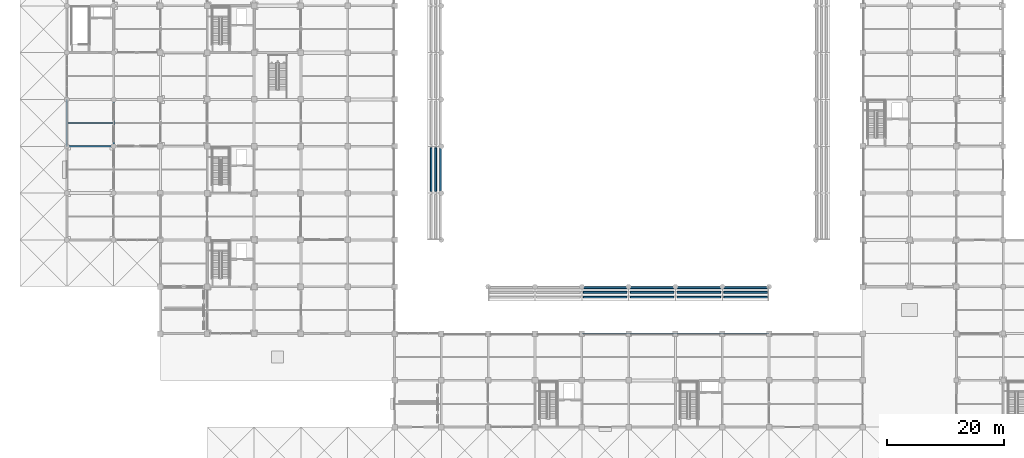
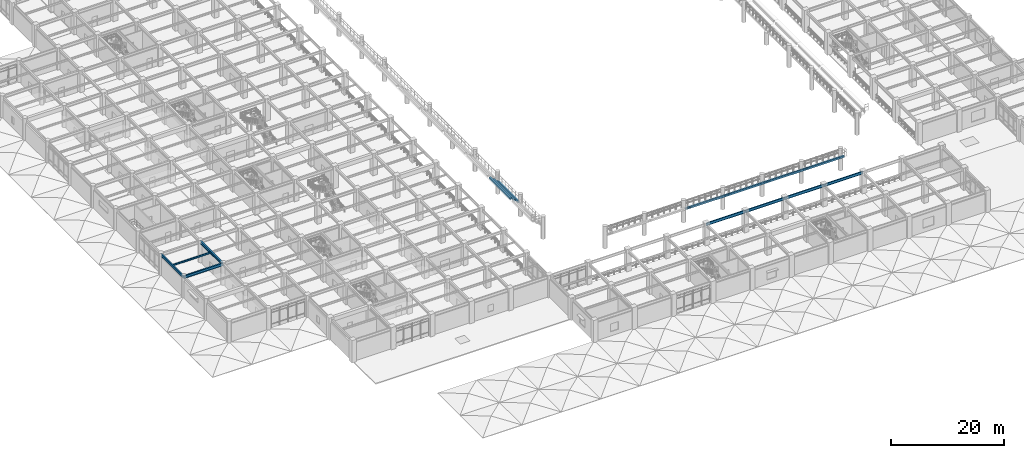
# One storey, part 14 of 109: 23 beams.
"""IFC4 building model written with IfcOpenShell, lengths in metres."""

from ifc_helpers import new_model, si_unit, direction, frame, origin, origin_2d, place, context, subcontext, project, spatial, rectangle, i_section, extrude, material, material_profile, profile_set, type_object, element, save


model = new_model("IFC4")

# Units and contexts
model_context = context("Model", 3, precision=1e-05, world=origin(), true_north=direction((0.0, 1.0)))
body_context = subcontext(model_context, "Body", "Model", "MODEL_VIEW")
ifc_project = project(units=[si_unit("LENGTHUNIT", "METRE"), si_unit("AREAUNIT", "SQUARE_METRE"), si_unit("VOLUMEUNIT", "CUBIC_METRE"), si_unit("PLANEANGLEUNIT", "RADIAN"), si_unit("MASSUNIT", "GRAM", prefix="KILO")], contexts=[model_context])

# Site, building, storey
site_placement = place(None, origin())
site = spatial("IfcSite", under=ifc_project, at=site_placement, CompositionType="ELEMENT")
building_placement = place(site_placement, origin())
building = spatial("IfcBuilding", under=site, at=building_placement, Name="Haebicheon Civic Stadium", CompositionType="ELEMENT")
storey_placement = place(building_placement, frame((0.0, 0.0, 9.60009765625)))
storey = spatial("IfcBuildingStorey", under=building, at=storey_placement, Name="L03", CompositionType="ELEMENT", Elevation=9.60009765625)

# Beams
ifc_material_1 = material(Name="Precast concrete C40/50", Category="concrete")
ifc_material_profile_1 = material_profile(ifc_material_1, rectangle(XDim=0.300048828125, YDim=0.39990234375, at=origin_2d()), Name="PC-LN-300x400")
ifc_profile_set_1 = profile_set([ifc_material_profile_1], Name="Precast concrete C40/50")
beam_type_1 = type_object("IfcBeamType", Name="BM-LN-300x400", PredefinedType="LINTEL", material=ifc_profile_set_1)
for number, where, z_axis, x_axis, name in (
    (1, (71.840087890625, 56.280029296875, 2.760009765625), (0.0, 1.0, 0.0), (-1.0, 0.0, 0.0), "TIER-W-U precast step carrier beam 2.1"),
    (2, (71.0400390625, 56.280029296875, 3.40380859375), (0.0, 1.0, 0.0), (-1.0, 0.0, 0.0), "TIER-W-U precast step carrier beam 2.2"),
    (3, (70.239990234375, 56.280029296875, 4.048828125), (0.0, 1.0, 0.0), (-1.0, 0.0, 0.0), "TIER-W-U precast step carrier beam 2.3"),
    (4, (96.280029296875, 39.840087890625, 2.760009765625), (1.0, 0.0, 0.0), (0.0, 1.0, 0.0), "TIER-S-U precast step carrier beam 3.1"),
    (5, (96.280029296875, 39.0400390625, 3.40380859375), (1.0, 0.0, 0.0), (0.0, 1.0, 0.0), "TIER-S-U precast step carrier beam 3.2"),
    (6, (96.280029296875, 38.239990234375, 4.048828125), (1.0, 0.0, 0.0), (0.0, 1.0, 0.0), "TIER-S-U precast step carrier beam 3.3"),
    (7, (104.280029296875, 39.840087890625, 2.760009765625), (1.0, 0.0, 0.0), (0.0, 1.0, 0.0), "TIER-S-U precast step carrier beam 4.1"),
    (8, (104.280029296875, 39.0400390625, 3.40380859375), (1.0, 0.0, 0.0), (0.0, 1.0, 0.0), "TIER-S-U precast step carrier beam 4.2"),
    (9, (104.280029296875, 38.239990234375, 4.048828125), (1.0, 0.0, 0.0), (0.0, 1.0, 0.0), "TIER-S-U precast step carrier beam 4.3"),
    (10, (112.280029296875, 39.840087890625, 2.760009765625), (1.0, 0.0, 0.0), (0.0, 1.0, 0.0), "TIER-S-U precast step carrier beam 5.1"),
    (11, (112.280029296875, 39.0400390625, 3.40380859375), (1.0, 0.0, 0.0), (0.0, 1.0, 0.0), "TIER-S-U precast step carrier beam 5.2"),
    (12, (112.280029296875, 38.239990234375, 4.048828125), (1.0, 0.0, 0.0), (0.0, 1.0, 0.0), "TIER-S-U precast step carrier beam 5.3"),
    (13, (120.280029296875, 39.840087890625, 2.760009765625), (1.0, 0.0, 0.0), (0.0, 1.0, 0.0), "TIER-S-U precast step carrier beam 6.1"),
    (14, (120.280029296875, 39.0400390625, 3.40380859375), (1.0, 0.0, 0.0), (0.0, 1.0, 0.0), "TIER-S-U precast step carrier beam 6.2"),
    (15, (120.280029296875, 38.239990234375, 4.048828125), (1.0, 0.0, 0.0), (0.0, 1.0, 0.0), "TIER-S-U precast step carrier beam 6.3"),
):
    element("IfcBeam", number, at=place(storey_placement, frame(where, z_axis=z_axis, x_axis=x_axis)), inside=storey, type_object=beam_type_1, material=ifc_profile_set_1, Name=name, PredefinedType="LINTEL", context=body_context, shape_type="SweptSolid", body=[
        extrude(rectangle(XDim=0.300048828125, YDim=0.39990234375, at=origin_2d()), origin(), (0.0, 0.0, 1.0), 7.43994140625),
    ])
ifc_material_2 = material(Name="Steel SM355 (S355)", Category="steel")
ifc_material_profile_2 = material_profile(ifc_material_2, i_section(OverallWidth=0.300048828125, OverallDepth=0.60009765625, WebThickness=0.011962890625, FlangeThickness=0.02001953125, at=origin_2d()), Name="H-600x300x12x20")
ifc_profile_set_2 = profile_set([ifc_material_profile_2], Name="Steel SM355 (S355)")
beam_type_2 = type_object("IfcBeamType", Name="BM-ST-H600A", PredefinedType="BEAM", material=ifc_profile_set_2)
for number, where, z_axis, x_axis, name in (
    (16, (16.0, 64.0, 4.27978515625), (0.0, 1.0, 0.0), (-1.0, 0.0, 0.0), "L03 girder 3/J-K"),
    (17, (8.0, 64.0, 4.27978515625), (1.0, 0.0, 0.0), (0.0, 1.0, 0.0), "L03 beam J/2-3"),
):
    element("IfcBeam", number, at=place(storey_placement, frame(where, z_axis=z_axis, x_axis=x_axis)), inside=storey, type_object=beam_type_2, material=ifc_profile_set_2, Name=name, PredefinedType="BEAM", context=body_context, shape_type="SweptSolid", body=[
        extrude(i_section(OverallWidth=0.300048828125, OverallDepth=0.60009765625, WebThickness=0.011962890625, FlangeThickness=0.02001953125, at=origin_2d()), origin(), (0.0, 0.0, 1.0), 8.0),
    ])
ifc_material_3 = material(Name="Steel SM355 (S355)", Category="steel")
ifc_material_profile_3 = material_profile(ifc_material_3, i_section(OverallWidth=0.175048828125, OverallDepth=0.35009765625, WebThickness=0.007080078125, FlangeThickness=0.010986328125, at=origin_2d()), Name="H-350x175x7x11")
ifc_profile_set_3 = profile_set([ifc_material_profile_3], Name="Steel SM355 (S355)")
beam_type_3 = type_object("IfcBeamType", Name="JST-ST-H350", PredefinedType="JOIST", material=ifc_profile_set_3)
beam_placement = place(storey_placement, frame((8.10009765625, 68.0, 4.40478515625), z_axis=(1.0, 0.0, 0.0), x_axis=(0.0, 1.0, 0.0)))
element("IfcBeam", 18, at=beam_placement, inside=storey, type_object=beam_type_3, material=ifc_profile_set_3, Name="L03 secondary joist 01-08", PredefinedType="JOIST", context=body_context, shape_type="SweptSolid", body=[
    extrude(i_section(OverallWidth=0.175048828125, OverallDepth=0.35009765625, WebThickness=0.007080078125, FlangeThickness=0.010986328125, at=origin_2d()), origin(), (0.0, 0.0, 1.0), 7.75),
])
ifc_material_4 = material(Name="Steel SM355 (S355)", Category="steel")
ifc_material_profile_4 = material_profile(ifc_material_4, i_section(OverallWidth=0.199951171875, OverallDepth=0.60009765625, WebThickness=0.010986328125, FlangeThickness=0.01708984375, at=origin_2d()), Name="H-600x200x11x17")
ifc_profile_set_4 = profile_set([ifc_material_profile_4], Name="Steel SM355 (S355)")
beam_type_4 = type_object("IfcBeamType", Name="SPD-ST-H600B", PredefinedType="SPANDREL", material=ifc_profile_set_4)
for number, where, z_axis, x_axis, name in (
    (19, (8.0, 64.0, 4.27978515625), (0.0, 1.0, 0.0), (-1.0, 0.0, 0.0), "L03 girder 2/J-K"),
    (20, (96.0, 32.0, 4.239990234375), (1.0, 0.0, 0.0), (0.0, 1.0, 0.0), "L03 beam E/13-14"),
    (21, (104.0, 32.0, 4.239990234375), (1.0, 0.0, 0.0), (0.0, 1.0, 0.0), "L03 beam E/14-15"),
    (22, (112.0, 32.0, 4.239990234375), (1.0, 0.0, 0.0), (0.0, 1.0, 0.0), "L03 beam E/15-16"),
    (23, (120.0, 32.0, 4.239990234375), (1.0, 0.0, 0.0), (0.0, 1.0, 0.0), "L03 beam E/16-17"),
):
    element("IfcBeam", number, at=place(storey_placement, frame(where, z_axis=z_axis, x_axis=x_axis)), inside=storey, type_object=beam_type_4, material=ifc_profile_set_4, Name=name, PredefinedType="SPANDREL", context=body_context, shape_type="SweptSolid", body=[
        extrude(i_section(OverallWidth=0.199951171875, OverallDepth=0.60009765625, WebThickness=0.010986328125, FlangeThickness=0.01708984375, at=origin_2d()), origin(), (0.0, 0.0, 1.0), 8.0),
    ])

save(model, "model.ifc")
